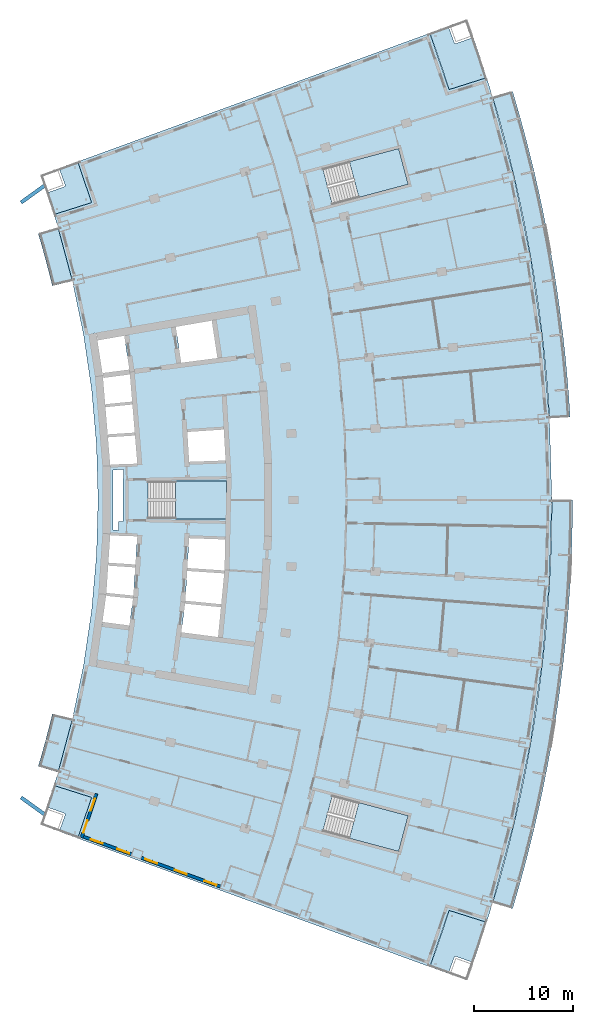
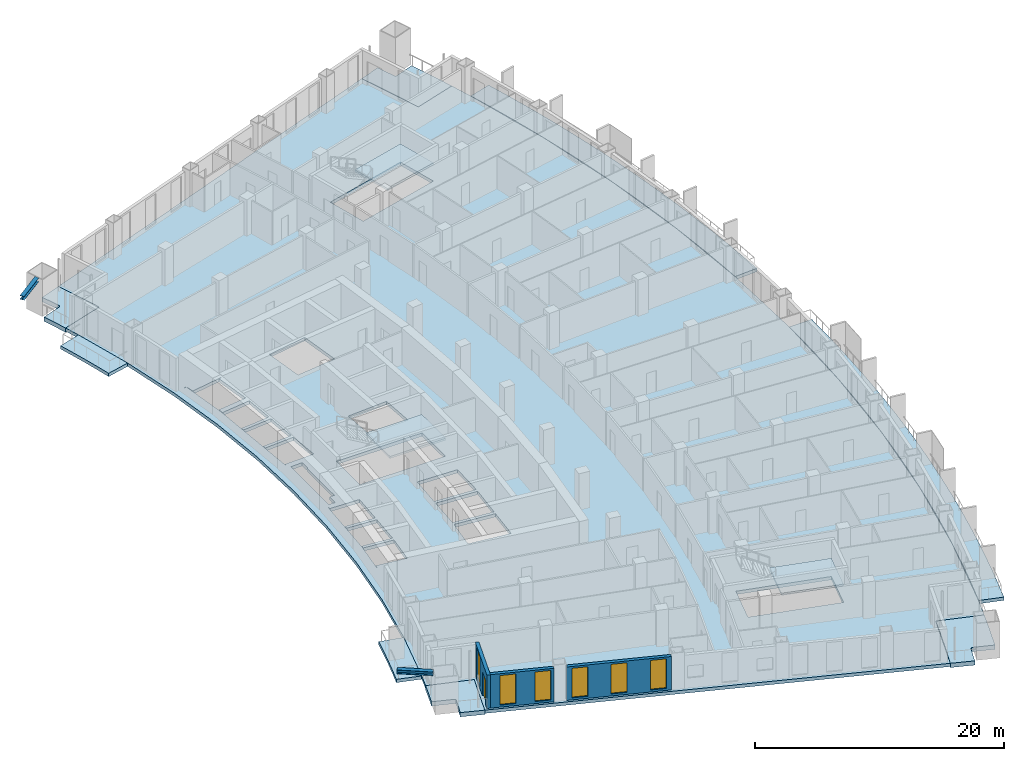
# One storey, part 12 of 24: 12 slabs, 6 windows, 3 walls, 2 members, 1 door, 7 openings, 3 elements without a shape of their own.
"""IFC4 building model written with IfcOpenShell, lengths in metres."""

import ifcopenshell
import ifcopenshell.guid

model = None  # the IFC model being written
_history = None  # IfcOwnerHistory: only IFC2X3 demands one
_inside = {}  # id of a spatial element -> (the spatial element, [elements in it])
_under = {}  # id of a project, library or spatial element -> (it, [spatial elements below it])
_declared = {}  # id of a project -> (the project, [libraries it declares])
_typed = {}  # id of a type object -> (the type object, [elements of that type])
_made_of = {}  # id of a material, layer set ... -> (it, [elements and type objects made of it])


def new_model(schema):
    """Start an empty IFC model of exactly this schema.

    Asked for "IFC4X3", IfcOpenShell would pick the latest addendum, in which some entities
    have other attributes; the version numbers below select the first issue.
    IFC2X3 requires an IfcOwnerHistory on every rooted entity: one is made here for all.
    """
    global model, _history
    if schema == "IFC4X3":
        model = ifcopenshell.file(schema_version=(4, 3, 0, 0))
    else:
        model = ifcopenshell.file(schema=schema)
    _inside.clear()
    _under.clear()
    _declared.clear()
    _typed.clear()
    _made_of.clear()
    _history = None
    if model.schema == "IFC2X3":
        org = make("IfcOrganization", Name="unknown")
        user = make(
            "IfcPersonAndOrganization",
            ThePerson=make("IfcPerson", FamilyName="unknown"),
            TheOrganization=org,
        )
        app = make(
            "IfcApplication",
            ApplicationDeveloper=org,
            Version="unknown",
            ApplicationFullName="unknown",
            ApplicationIdentifier="unknown",
        )
        _history = make(
            "IfcOwnerHistory",
            OwningUser=user,
            OwningApplication=app,
            ChangeAction="ADDED",
            CreationDate=0,
        )
    return model


def make(cls, **values):
    """One entity of the class cls with the attributes given. An attribute that is None is left unset."""
    return model.create_entity(
        cls, **{name: value for name, value in values.items() if value is not None}
    )


def rooted(cls, **values):
    """An entity with a GlobalId (a new one), such as an element, a storey or a relation."""
    return make(cls, GlobalId=ifcopenshell.guid.new(), OwnerHistory=_history, **values)


def si_unit(unit_type, name, prefix=None):
    """IfcSIUnit, for example si_unit("LENGTHUNIT", "METRE", prefix="MILLI")."""
    return make("IfcSIUnit", UnitType=unit_type, Prefix=prefix, Name=name)


def assignment(units):
    """IfcUnitAssignment: the units of a project."""
    return None if units is None else make("IfcUnitAssignment", Units=units)


def point(xyz):
    """IfcCartesianPoint."""
    return None if xyz is None else make("IfcCartesianPoint", Coordinates=xyz)


def direction(xyz):
    """IfcDirection."""
    return None if xyz is None else make("IfcDirection", DirectionRatios=xyz)


def frame(location, z_axis=None, x_axis=None):
    """IfcAxis2Placement3D, a coordinate frame: its origin and axes. An axis left out is left unset."""
    return make(
        "IfcAxis2Placement3D",
        Location=point(location),
        Axis=direction(z_axis),
        RefDirection=direction(x_axis),
    )


def frame_2d(location, x_axis=None):
    """IfcAxis2Placement2D, a coordinate frame in the plane: its origin and x axis."""
    return make(
        "IfcAxis2Placement2D", Location=point(location), RefDirection=direction(x_axis)
    )


def origin():
    """The frame at (0, 0, 0) with its axes left unset."""
    return frame((0.0, 0.0, 0.0))


def origin_2d():
    """The frame at (0, 0) in the plane with its x axis left unset."""
    return frame_2d((0.0, 0.0))


def place(relative_to, where):
    """IfcLocalPlacement: puts the frame where relative to a parent placement (None: the world)."""
    return make(
        "IfcLocalPlacement", PlacementRelTo=relative_to, RelativePlacement=where
    )


def context(
    kind, dimensions, precision=None, world=None, true_north=None, identifier=None
):
    """IfcGeometricRepresentationContext, for example the 3D "Model" context."""
    return make(
        "IfcGeometricRepresentationContext",
        ContextIdentifier=identifier,
        ContextType=kind,
        CoordinateSpaceDimension=dimensions,
        Precision=precision,
        WorldCoordinateSystem=world,
        TrueNorth=true_north,
    )


def subcontext(parent, identifier, kind, view, scale=None):
    """IfcGeometricRepresentationSubContext, for example "Body" below "Model"."""
    return make(
        "IfcGeometricRepresentationSubContext",
        ContextIdentifier=identifier,
        ContextType=kind,
        ParentContext=parent,
        TargetScale=scale,
        TargetView=view,
    )


def project(units=None, contexts=None):
    """IfcProject with its units and contexts."""
    return rooted(
        "IfcProject",
        Name="project",
        RepresentationContexts=contexts,
        UnitsInContext=assignment(units),
    )


def spatial(cls, under=None, at=None, **own):
    """A site, building, storey or space (cls), placed at a placement, below another one or the project."""
    s = rooted(cls, ObjectPlacement=at, **own)
    if under is not None:
        _under.setdefault(under.id(), (under, []))[1].append(s)
    return s


def polyline(points):
    """IfcPolyline through the points."""
    return make("IfcPolyline", Points=[point(p) for p in points])


def profile(cls, at=None, kind="AREA", **sizes):
    """A parametric profile (cls). Its sizes go by their IFC names, for example OverallWidth=200.0."""
    return make(cls, ProfileType=kind, Position=at, **sizes)


def rectangle(**sizes):
    """IfcRectangleProfileDef."""
    return profile("IfcRectangleProfileDef", **sizes)


def i_section(**sizes):
    """IfcIShapeProfileDef."""
    return profile("IfcIShapeProfileDef", **sizes)


def outline(outer, holes=None, kind="AREA"):
    """IfcArbitraryClosedProfileDef: a profile drawn as a closed curve; with holes, ...WithVoids."""
    if holes is None:
        return make("IfcArbitraryClosedProfileDef", ProfileType=kind, OuterCurve=outer)
    return make(
        "IfcArbitraryProfileDefWithVoids",
        ProfileType=kind,
        OuterCurve=outer,
        InnerCurves=holes,
    )


def extrude(swept, where, along, depth):
    """IfcExtrudedAreaSolid: the profile swept, set in the frame where, extruded along a direction by depth."""
    return make(
        "IfcExtrudedAreaSolid",
        SweptArea=swept,
        Position=where,
        ExtrudedDirection=direction(along),
        Depth=depth,
    )


def shape(context_of_items, identifier, shape_type, items):
    """IfcShapeRepresentation: the items that make up one representation, for example the "Body"."""
    return make(
        "IfcShapeRepresentation",
        ContextOfItems=context_of_items,
        RepresentationIdentifier=identifier,
        RepresentationType=shape_type,
        Items=items,
    )


def material(Name=None, Category=None):
    """IfcMaterial."""
    return make("IfcMaterial", Name=Name, Category=Category)


def layer(
    of_material, thickness, ventilated=None, Name=None, Category=None, Priority=None
):
    """IfcMaterialLayer: one layer of a wall or slab, of a material (None: an air gap)."""
    return make(
        "IfcMaterialLayer",
        Material=of_material,
        LayerThickness=thickness,
        IsVentilated=ventilated,
        Name=Name,
        Category=Category,
        Priority=Priority,
    )


def layer_set(layers, Name=None):
    """IfcMaterialLayerSet."""
    return make("IfcMaterialLayerSet", MaterialLayers=layers, LayerSetName=Name)


def material_profile(
    of_material, cross_section, Name=None, Category=None, Priority=None
):
    """IfcMaterialProfile: a cross section and its material."""
    return make(
        "IfcMaterialProfile",
        Name=Name,
        Material=of_material,
        Profile=cross_section,
        Priority=Priority,
        Category=Category,
    )


def profile_set(profiles, Name=None, composite=None):
    """IfcMaterialProfileSet."""
    return make(
        "IfcMaterialProfileSet",
        Name=Name,
        MaterialProfiles=profiles,
        CompositeProfile=composite,
    )


def made_of(thing, what):
    """Note that an element or type object is made of a material, layer set ...; save() writes the relation."""
    if what is not None:
        _made_of.setdefault(what.id(), (what, []))[1].append(thing)
    return thing


def type_object(cls, material=None, **own):
    """A type object (cls), such as IfcWallType, which elements share."""
    return made_of(rooted(cls, **own), material)


def element(
    cls,
    number,
    at=None,
    inside=None,
    cuts=None,
    type_object=None,
    material=None,
    context=None,
    identifier="Body",
    shape_type=None,
    held_by="IfcProductDefinitionShape",
    body=None,
    shapes=None,
    **own,
):
    """One element of the class cls, such as IfcWall. Its Tag is "e" and its number.

    at: its placement. inside: the storey or other place that contains it. cuts: it is an
    opening in that element (IfcRelVoidsElement). A single representation is given by context,
    identifier, shape_type and body (its items); several are given by shapes. held_by: the class
    of the entity that holds the representations. save() writes the other relations.
    """
    e = rooted(cls, Tag="e%d" % number, ObjectPlacement=at, **own)
    if body is not None:
        shapes = [shape(context, identifier, shape_type, body)]
    if shapes is not None:
        e.Representation = make(held_by, Representations=shapes)
    if inside is not None:
        _inside.setdefault(inside.id(), (inside, []))[1].append(e)
    if cuts is not None:
        rooted(
            "IfcRelVoidsElement", RelatingBuildingElement=cuts, RelatedOpeningElement=e
        )
    if type_object is not None:
        _typed.setdefault(type_object.id(), (type_object, []))[1].append(e)
    return made_of(e, material)


def fill(opening, filler):
    """IfcRelFillsElement: the door or window that sits in an opening."""
    return rooted(
        "IfcRelFillsElement",
        RelatingOpeningElement=opening,
        RelatedBuildingElement=filler,
    )


def aggregate(whole, parts):
    """IfcRelAggregates: a whole, such as a stair, and the parts it consists of."""
    return rooted("IfcRelAggregates", RelatingObject=whole, RelatedObjects=parts)


def save(model, path):
    """Write the relations noted so far, then the file.

    IfcRelAggregates (storeys below a building ...), IfcRelContainedInSpatialStructure (elements
    in a storey), IfcRelDefinesByType, IfcRelAssociatesMaterial and IfcRelDeclares: one each for
    every whole, place, type object, material and project.
    """
    for whole, parts in _under.values():
        aggregate(whole, parts)
    for where, things in _inside.values():
        rooted(
            "IfcRelContainedInSpatialStructure",
            RelatedElements=things,
            RelatingStructure=where,
        )
    for kind, things in _typed.values():
        rooted("IfcRelDefinesByType", RelatedObjects=things, RelatingType=kind)
    for what, things in _made_of.values():
        rooted("IfcRelAssociatesMaterial", RelatedObjects=things, RelatingMaterial=what)
    for by, libraries in _declared.values():
        rooted("IfcRelDeclares", RelatingContext=by, RelatedDefinitions=libraries)
    model.write(path)


model = new_model("IFC4")

# Units and contexts
model_context = context("Model", 3, precision=1e-05, world=origin(), true_north=direction((0.0, 1.0)))
body_context = subcontext(model_context, "Body", "Model", "MODEL_VIEW")
ifc_project = project(units=[si_unit("LENGTHUNIT", "METRE"), si_unit("AREAUNIT", "SQUARE_METRE"), si_unit("VOLUMEUNIT", "CUBIC_METRE"), si_unit("PLANEANGLEUNIT", "RADIAN"), si_unit("MASSUNIT", "GRAM", prefix="KILO")], contexts=[model_context])

# Site, building, storey
site_placement = place(None, origin())
site = spatial("IfcSite", under=ifc_project, at=site_placement, CompositionType="ELEMENT")
building_placement = place(site_placement, origin())
building = spatial("IfcBuilding", under=site, at=building_placement, Name="Alderwake Tower", CompositionType="ELEMENT")
storey_placement = place(building_placement, frame((0.0, 0.0, 96.800048828125)))
storey = spatial("IfcBuildingStorey", under=building, at=storey_placement, Name="L23", CompositionType="ELEMENT", Elevation=96.800048828125)

# Members
ifc_material_1 = material(Name="Steel ASTM A992 Grade 50", Category="steel")
ifc_material_profile = material_profile(ifc_material_1, i_section(OverallWidth=0.3740234375, OverallDepth=0.372314453125, WebThickness=0.016357421875, FlangeThickness=0.026123046875, at=origin_2d()), Name="W14X132")
ifc_profile_set = profile_set([ifc_material_profile], Name="Steel ASTM A992 Grade 50")
member_type = type_object("IfcMemberType", Name="Brace node stub W14X132", PredefinedType="MEMBER", material=ifc_profile_set)
for number, where, z_axis, x_axis, name in (
    (1, (10.557861328125, 29.140625, 3.393798828125), (-0.811319673372, 0.584602760513, 0.0), (-0.584602760513, -0.811319673372, 0.0), "Brace node stub BS.RR01-C0.1004"),
    (2, (10.557861328125, 92.859375, 3.393798828125), (-0.811319673372, -0.584602760513, 0.0), (0.584602760513, -0.811319673372, 0.0), "Brace node stub BS.RR13-C0.1004"),
):
    element("IfcMember", number, at=place(storey_placement, frame(where, z_axis=z_axis, x_axis=x_axis)), inside=storey, type_object=member_type, Name=name, PredefinedType="MEMBER", context=body_context, shape_type="SweptSolid", body=[
        extrude(i_section(OverallWidth=0.3740234375, OverallDepth=0.372314453125, WebThickness=0.016357421875, FlangeThickness=0.026123046875, at=origin_2d()), origin(), (0.0, 0.0, 1.0), 2.912841796875),
    ])

# Slabs
ifc_material_2 = material(Name="Concrete C50/60", Category="concrete")
ifc_layer_1 = layer(ifc_material_2, 0.320068359375)
ifc_layer_set_1 = layer_set([ifc_layer_1], Name="Balcony slab 320")
slab_type_1 = type_object("IfcSlabType", Name="Balcony slab 320", PredefinedType="FLOOR", material=ifc_layer_set_1)
slab_1_placement = place(storey_placement, frame((0.0, 0.0, -0.320068359375)))
element("IfcSlab", 3, at=slab_1_placement, inside=storey, type_object=slab_type_1, Name="Balcony BF02", PredefinedType="FLOOR", context=body_context, shape_type="SweptSolid", body=[
    extrude(outline(polyline([(58.603515625, 21.581298828125), (59.163818359375, 23.606689453125), (59.694091796875, 25.639892578125), (60.195068359375, 27.680908203125), (60.666015625, 29.72900390625), (61.107177734375, 31.78369140625), (61.51806640625, 33.844482421875), (61.899169921875, 35.910888671875), (62.25, 37.98291015625), (62.5703125, 40.059814453125), (62.860595703125, 42.14111328125), (63.120361328125, 44.226318359375), (63.349853515625, 46.315185546875), (63.548583984375, 48.4072265625), (63.717041015625, 50.501953125), (63.85498046875, 52.598876953125), (63.962158203125, 54.697509765625), (64.038818359375, 56.797607421875), (64.084716796875, 58.898681640625), (64.10009765625, 61.0), (62.0, 61.0), (61.98486328125, 58.92919921875), (61.939697265625, 56.85888671875), (61.864013671875, 54.78955078125), (61.758544921875, 52.721435546875), (61.622802734375, 50.655029296875), (61.456787109375, 48.5908203125), (61.2607421875, 46.529296875), (61.03466796875, 44.470947265625), (60.77880859375, 42.416015625), (60.49267578125, 40.364990234375), (60.1767578125, 38.318359375), (59.831298828125, 36.276611328125), (59.455810546875, 34.239990234375), (59.05078125, 32.209228515625), (58.6162109375, 30.1845703125), (58.152099609375, 28.16650390625), (57.658447265625, 26.155517578125), (57.1357421875, 24.151611328125), (56.583740234375, 22.15576171875), (56.002685546875, 20.168212890625), (58.01416015625, 19.564208984375), (58.603515625, 21.581298828125)])), origin(), (0.0, 0.0, 1.0), 0.320068359375),
])
slab_2_placement = place(storey_placement, frame((0.0, 0.0, -0.320068359375)))
element("IfcSlab", 4, at=slab_2_placement, inside=storey, type_object=slab_type_1, Name="Balcony BF08", PredefinedType="FLOOR", context=body_context, shape_type="SweptSolid", body=[
    extrude(outline(polyline([(63.717041015625, 71.498046875), (63.548583984375, 73.5927734375), (63.349853515625, 75.684814453125), (63.120361328125, 77.773681640625), (62.860595703125, 79.85888671875), (62.5703125, 81.940185546875), (62.25, 84.01708984375), (61.899169921875, 86.089111328125), (61.51806640625, 88.155517578125), (61.107177734375, 90.21630859375), (60.666015625, 92.27099609375), (60.195068359375, 94.319091796875), (59.694091796875, 96.360107421875), (59.163818359375, 98.393310546875), (58.603515625, 100.418701171875), (58.01416015625, 102.435791015625), (56.002685546875, 101.831787109375), (56.583740234375, 99.84423828125), (57.1357421875, 97.848388671875), (57.658447265625, 95.844482421875), (58.152099609375, 93.83349609375), (58.6162109375, 91.8154296875), (59.05078125, 89.790771484375), (59.455810546875, 87.760009765625), (59.831298828125, 85.723388671875), (60.1767578125, 83.681640625), (60.49267578125, 81.635009765625), (60.77880859375, 79.583984375), (61.03466796875, 77.529052734375), (61.2607421875, 75.470703125), (61.456787109375, 73.4091796875), (61.622802734375, 71.344970703125), (61.758544921875, 69.278564453125), (63.85498046875, 69.401123046875), (63.717041015625, 71.498046875)])), origin(), (0.0, 0.0, 1.0), 0.320068359375),
])
slab_3_placement = place(storey_placement, frame((0.0, 0.0, -0.320068359375)))
element("IfcSlab", 5, at=slab_3_placement, inside=storey, type_object=slab_type_1, Name="Balcony BR02", PredefinedType="FLOOR", context=body_context, shape_type="SweptSolid", body=[
    extrude(outline(polyline([(9.93408203125, 33.999267578125), (11.945556640625, 33.395263671875), (13.3984375, 38.802734375), (11.35546875, 39.288330078125), (11.029052734375, 37.95849609375), (10.683349609375, 36.63330078125), (10.318359375, 35.3134765625), (9.93408203125, 33.999267578125)])), origin(), (0.0, 0.0, 1.0), 0.320068359375),
])
slab_4_placement = place(storey_placement, frame((0.0, 0.0, -0.320068359375)))
element("IfcSlab", 6, at=slab_4_placement, inside=storey, type_object=slab_type_1, Name="Balcony BR11", PredefinedType="FLOOR", context=body_context, shape_type="SweptSolid", body=[
    extrude(outline(polyline([(11.35546875, 82.711669921875), (13.3984375, 83.197265625), (11.945556640625, 88.604736328125), (9.93408203125, 88.000732421875), (10.318359375, 86.6865234375), (10.683349609375, 85.36669921875), (11.029052734375, 84.04150390625), (11.35546875, 82.711669921875)])), origin(), (0.0, 0.0, 1.0), 0.320068359375),
])
ifc_material_3 = material(Name="Concrete C50/60", Category="concrete")
ifc_layer_2 = layer(ifc_material_3, 0.320068359375)
ifc_layer_set_2 = layer_set([ifc_layer_2], Name="Concrete C50/60 post-tensioned flat plate 320")
slab_type_2 = type_object("IfcSlabType", Name="Concrete C50/60 post-tensioned flat plate 320", PredefinedType="FLOOR", material=ifc_layer_set_2)
slab_5_placement = place(storey_placement, frame((0.0, 0.0, -0.320068359375)))
element("IfcSlab", 7, at=slab_5_placement, inside=storey, type_object=slab_type_2, Name="Floor slab L23", PredefinedType="FLOOR", context=body_context, shape_type="SweptSolid", body=[
    extrude(outline(polyline([(11.533203125, 32.057373046875), (11.945556640625, 33.395263671875), (13.3984375, 38.802734375), (14.53369140625, 44.28564453125), (15.347412109375, 49.825439453125), (15.836669921875, 55.4033203125), (16.0, 61.0), (15.836669921875, 66.5966796875), (15.347412109375, 72.174560546875), (14.53369140625, 77.71435546875), (13.3984375, 83.197265625), (11.945556640625, 88.604736328125), (11.533203125, 89.942626953125), (15.34716796875, 91.1484375), (13.937255859375, 95.289794921875), (49.63330078125, 108.31982421875), (51.5791015625, 102.60498046875), (55.392822265625, 103.810791015625), (56.002685546875, 101.831787109375), (58.152099609375, 93.83349609375), (59.831298828125, 85.723388671875), (61.03466796875, 77.529052734375), (61.758544921875, 69.278564453125), (62.0, 61.0), (61.758544921875, 52.721435546875), (61.03466796875, 44.470947265625), (59.831298828125, 36.276611328125), (58.152099609375, 28.16650390625), (56.002685546875, 20.168212890625), (55.392822265625, 18.189208984375), (51.5791015625, 19.39501953125), (49.63330078125, 13.68017578125), (13.937255859375, 26.710205078125), (15.34716796875, 30.8515625), (11.533203125, 32.057373046875)]), holes=[polyline([(16.84375, 51.279541015625), (16.8583984375, 51.4287109375), (16.873291015625, 51.577880859375), (19.574951171875, 51.31103515625), (19.76611328125, 54.161376953125), (17.0537109375, 54.34326171875), (17.06396484375, 54.492919921875), (17.073974609375, 54.642578125), (19.7861328125, 54.460693359375), (19.977294921875, 57.31103515625), (17.263916015625, 57.406982421875), (17.269287109375, 57.556884765625), (17.2392578125, 57.55810546875), (17.033935546875, 54.494873046875), (16.82861328125, 51.431640625), (16.82861328125, 51.431640625), (16.41015625, 48.39013671875), (16.43994140625, 48.38623046875), (16.472412109375, 48.63427734375), (19.18017578125, 48.280029296875), (19.545166015625, 51.012451171875), (16.84375, 51.279541015625)]), polyline([(29.0, 62.875), (21.050048828125, 62.875), (21.050048828125, 59.125), (29.0, 59.125), (29.0, 62.875)]), polyline([(19.738525390625, 67.5361328125), (17.02587890625, 67.354248046875), (17.015869140625, 67.50390625), (17.005859375, 67.653564453125), (19.7138671875, 67.835205078125), (19.47802734375, 70.679443359375), (16.777099609375, 70.41259765625), (16.76220703125, 70.561767578125), (16.74755859375, 70.7109375), (19.453125, 70.978515625), (19.2255859375, 73.725830078125), (16.541015625, 73.374755859375), (16.508544921875, 73.62255859375), (16.47607421875, 73.87060546875), (19.16796875, 74.22265625), (18.656982421875, 77.6376953125), (18.90283203125, 77.674560546875), (18.900146484375, 77.690673828125), (15.96826171875, 77.183837890625), (15.836669921875, 77.94482421875), (15.58544921875, 77.900390625), (15.586181640625, 77.896484375), (15.8154296875, 77.931884765625), (16.478515625, 73.61865234375), (16.47900390625, 73.61376953125), (16.732421875, 70.558837890625), (16.98583984375, 67.501953125), (17.239501953125, 64.4443359375), (17.239501953125, 64.44189453125), (17.269287109375, 64.443115234375), (17.263916015625, 64.593017578125), (19.974609375, 64.68896484375), (19.738525390625, 67.5361328125)]), polyline([(47.436279296875, 28.996826171875), (39.754150390625, 31.043212890625), (38.7890625, 27.41943359375), (46.47119140625, 25.373291015625), (47.436279296875, 28.996826171875)]), polyline([(24.82470703125, 50.49072265625), (24.8291015625, 50.534423828125), (24.825439453125, 50.534912109375), (24.43212890625, 47.59326171875), (28.160888671875, 47.10546875), (28.45361328125, 50.132080078125), (24.82470703125, 50.49072265625)]), polyline([(25.031005859375, 53.808349609375), (24.84521484375, 50.735595703125), (24.848876953125, 50.7353515625), (24.854248046875, 50.789306640625), (28.482666015625, 50.430908203125), (28.784912109375, 53.556640625), (25.031005859375, 53.808349609375)]), polyline([(28.887451171875, 56.99560546875), (25.2314453125, 57.125), (25.049072265625, 54.10791015625), (28.809326171875, 53.855712890625), (28.8076171875, 53.83154296875), (28.811279296875, 53.831298828125), (28.8193359375, 53.912353515625), (28.887451171875, 56.99560546875)]), polyline([(28.923828125, 65.005615234375), (28.7392578125, 68.1396484375), (25.05126953125, 67.892333984375), (25.232177734375, 64.875), (28.923828125, 65.005615234375)]), polyline([(28.09619140625, 75.390380859375), (27.523193359375, 79.181396484375), (23.877685546875, 78.551025390625), (24.427001953125, 74.915283203125), (24.368896484375, 74.90673828125), (24.36962890625, 74.90283203125), (28.09619140625, 75.390380859375)]), polyline([(46.47119140625, 96.626708984375), (38.7890625, 94.58056640625), (39.754150390625, 90.956787109375), (47.436279296875, 93.003173828125), (46.47119140625, 96.626708984375)]), polyline([(17.489501953125, 64.050537109375), (17.4892578125, 57.949462890625), (18.065673828125, 57.928955078125), (18.090576171875, 58.84326171875), (18.544189453125, 58.8310546875), (18.529296875, 58.8681640625), (18.5234375, 58.89208984375), (18.5185546875, 58.94091796875), (18.5185546875, 63.060302734375), (18.5234375, 63.109130859375), (18.53759765625, 63.156005859375), (18.560791015625, 63.19921875), (18.588623046875, 63.233642578125), (18.565185546875, 64.088623046875), (17.489501953125, 64.050537109375)])]), origin(), (0.0, 0.0, 1.0), 0.320068359375),
])

# Stair, slab
ifc_material_4 = material(Name="Concrete C40/50", Category="concrete")
stair_type = type_object("IfcStairType", Name="Core exit stair", PredefinedType="HALF_TURN_STAIR", material=ifc_material_4)
stair_1_placement = place(storey_placement, origin())
stair_1 = element("IfcStair", 8, at=stair_1_placement, inside=storey, type_object=stair_type, Name="L23 Exit Stair B", PredefinedType="HALF_TURN_STAIR")
ifc_material_5 = material(Name="Concrete C40/50", Category="concrete")
ifc_layer_3 = layer(ifc_material_5, 0.199951171875)
ifc_layer_set_3 = layer_set([ifc_layer_3], Name="Core stair landing 200")
slab_type_3 = type_object("IfcSlabType", Name="Core stair landing 200", PredefinedType="LANDING", material=ifc_layer_set_3)
slab_6_placement = place(storey_placement, frame((0.0, 0.0, 1.599853515625)))
slab_6 = element("IfcSlab", 9, at=slab_6_placement, type_object=slab_type_3, Name="ST-B landing 1", PredefinedType="LANDING", context=body_context, shape_type="SweptSolid", body=[
    extrude(outline(polyline([(23.830078125, 59.074951171875), (29.0, 59.074951171875), (29.0, 62.925048828125), (23.830078125, 62.925048828125), (23.830078125, 59.074951171875)])), origin(), (0.0, 0.0, 1.0), 0.2001953125),
])
aggregate(stair_1, [slab_6])

stair_2_placement = place(storey_placement, origin())
stair_2 = element("IfcStair", 10, at=stair_2_placement, inside=storey, type_object=stair_type, Name="L23 Exit Stair A", PredefinedType="HALF_TURN_STAIR")
slab_7_placement = place(storey_placement, frame((0.0, 0.0, 1.599853515625)))
slab_7 = element("IfcSlab", 11, at=slab_7_placement, type_object=slab_type_3, Name="ST-A landing 1", PredefinedType="LANDING", context=body_context, shape_type="SweptSolid", body=[
    extrude(outline(polyline([(42.440673828125, 91.67236328125), (47.436279296875, 93.003173828125), (46.47119140625, 96.626708984375), (41.475341796875, 95.296142578125), (42.440673828125, 91.67236328125)])), origin(), (0.0, 0.0, 1.0), 0.2001953125),
])
aggregate(stair_2, [slab_7])

stair_3_placement = place(storey_placement, origin())
stair_3 = element("IfcStair", 12, at=stair_3_placement, inside=storey, type_object=stair_type, Name="L23 Exit Stair C", PredefinedType="HALF_TURN_STAIR")
slab_8_placement = place(storey_placement, frame((0.0, 0.0, 1.599853515625)))
slab_8 = element("IfcSlab", 13, at=slab_8_placement, type_object=slab_type_3, Name="ST-C landing 1", PredefinedType="LANDING", context=body_context, shape_type="SweptSolid", body=[
    extrude(outline(polyline([(41.475341796875, 26.703857421875), (46.47119140625, 25.373291015625), (47.436279296875, 28.996826171875), (42.4404296875, 30.32763671875), (41.475341796875, 26.703857421875)])), origin(), (0.0, 0.0, 1.0), 0.2001953125),
])
aggregate(stair_3, [slab_8])

# Slabs
ifc_material_6 = material(Name="Concrete C50/60", Category="concrete")
ifc_layer_4 = layer(ifc_material_6, 0.419921875)
ifc_layer_set_4 = layer_set([ifc_layer_4], Name="Terrace slab 420")
slab_type_4 = type_object("IfcSlabType", Name="Terrace slab 420", PredefinedType="FLOOR", material=ifc_layer_set_4)
slab_9_placement = place(storey_placement, frame((0.0, 0.0, -0.420166015625)))
element("IfcSlab", 14, at=slab_9_placement, inside=storey, type_object=slab_type_4, Name="Corner terrace FS", PredefinedType="FLOOR", context=body_context, shape_type="SweptSolid", body=[
    extrude(outline(polyline([(54.0869140625, 14.2587890625), (54.03076171875, 14.1015625), (52.293212890625, 14.723388671875), (52.279296875, 14.7275390625), (52.2646484375, 14.73046875), (52.25, 14.73193359375), (52.2353515625, 14.73193359375), (52.220703125, 14.73046875), (52.206298828125, 14.7275390625), (52.192138671875, 14.723388671875), (52.1787109375, 14.7177734375), (52.16552734375, 14.710693359375), (52.1533203125, 14.70263671875), (52.14208984375, 14.693115234375), (52.131591796875, 14.682861328125), (52.122314453125, 14.67138671875), (52.114013671875, 14.6591796875), (52.107177734375, 14.646240234375), (52.1015625, 14.632568359375), (51.52880859375, 13.031982421875), (51.5244140625, 13.017822265625), (51.521484375, 13.00341796875), (51.5205078125, 12.9912109375), (49.63330078125, 13.68017578125), (50.309814453125, 15.57568359375), (50.958251953125, 17.480712890625), (51.5791015625, 19.39501953125), (55.392822265625, 18.189208984375), (54.754150390625, 16.21923828125), (54.0869140625, 14.2587890625)])), origin(), (0.0, 0.0, 1.0), 0.420166015625),
])
slab_10_placement = place(storey_placement, frame((0.0, 0.0, -0.420166015625)))
element("IfcSlab", 15, at=slab_10_placement, inside=storey, type_object=slab_type_4, Name="Corner terrace RS", PredefinedType="FLOOR", context=body_context, shape_type="SweptSolid", body=[
    extrude(outline(polyline([(13.937255859375, 26.710205078125), (12.04931640625, 27.3994140625), (12.0537109375, 27.40380859375), (12.06298828125, 27.4150390625), (12.071044921875, 27.427490234375), (12.077880859375, 27.4404296875), (12.08349609375, 27.4541015625), (12.651611328125, 29.056396484375), (12.65576171875, 29.0703125), (12.65869140625, 29.084716796875), (12.66015625, 29.099609375), (12.659912109375, 29.1142578125), (12.658447265625, 29.12890625), (12.655517578125, 29.143310546875), (12.6513671875, 29.157470703125), (12.6455078125, 29.1708984375), (12.638671875, 29.183837890625), (12.63037109375, 29.196044921875), (12.62109375, 29.20751953125), (12.610595703125, 29.218017578125), (12.59912109375, 29.227294921875), (12.5869140625, 29.2353515625), (12.573974609375, 29.2421875), (12.560302734375, 29.247802734375), (10.8095703125, 29.868408203125), (11.101318359375, 30.7255859375), (11.533203125, 32.057373046875), (15.34716796875, 30.8515625), (13.937255859375, 26.710205078125)])), origin(), (0.0, 0.0, 1.0), 0.420166015625),
])
slab_11_placement = place(storey_placement, frame((0.0, 0.0, -0.420166015625)))
element("IfcSlab", 16, at=slab_11_placement, inside=storey, type_object=slab_type_4, Name="Corner terrace FN", PredefinedType="FLOOR", context=body_context, shape_type="SweptSolid", body=[
    extrude(outline(polyline([(54.0869140625, 107.7412109375), (54.754150390625, 105.78076171875), (55.392822265625, 103.810791015625), (51.5791015625, 102.60498046875), (50.958251953125, 104.519287109375), (50.309814453125, 106.42431640625), (49.63330078125, 108.31982421875), (51.5205078125, 109.0087890625), (51.521484375, 108.99658203125), (51.5244140625, 108.982177734375), (51.52880859375, 108.968017578125), (52.1015625, 107.367431640625), (52.107177734375, 107.353759765625), (52.114013671875, 107.3408203125), (52.122314453125, 107.32861328125), (52.131591796875, 107.317138671875), (52.14208984375, 107.306884765625), (52.1533203125, 107.29736328125), (52.16552734375, 107.289306640625), (52.1787109375, 107.2822265625), (52.192138671875, 107.276611328125), (52.206298828125, 107.2724609375), (52.220703125, 107.26953125), (52.2353515625, 107.26806640625), (52.25, 107.26806640625), (52.2646484375, 107.26953125), (52.279296875, 107.2724609375), (52.293212890625, 107.276611328125), (54.03076171875, 107.8984375), (54.0869140625, 107.7412109375)])), origin(), (0.0, 0.0, 1.0), 0.420166015625),
])
slab_12_placement = place(storey_placement, frame((0.0, 0.0, -0.420166015625)))
element("IfcSlab", 17, at=slab_12_placement, inside=storey, type_object=slab_type_4, Name="Corner terrace RN", PredefinedType="FLOOR", context=body_context, shape_type="SweptSolid", body=[
    extrude(outline(polyline([(10.8095703125, 92.131591796875), (12.560302734375, 92.752197265625), (12.573974609375, 92.7578125), (12.5869140625, 92.7646484375), (12.59912109375, 92.772705078125), (12.610595703125, 92.781982421875), (12.62109375, 92.79248046875), (12.63037109375, 92.803955078125), (12.638671875, 92.816162109375), (12.6455078125, 92.8291015625), (12.6513671875, 92.842529296875), (12.655517578125, 92.856689453125), (12.658447265625, 92.87109375), (12.659912109375, 92.8857421875), (12.66015625, 92.900390625), (12.65869140625, 92.915283203125), (12.65576171875, 92.9296875), (12.651611328125, 92.943603515625), (12.08349609375, 94.5458984375), (12.077880859375, 94.5595703125), (12.071044921875, 94.572509765625), (12.06298828125, 94.5849609375), (12.0537109375, 94.59619140625), (12.04931640625, 94.6005859375), (13.937255859375, 95.289794921875), (15.34716796875, 91.1484375), (11.533203125, 89.942626953125), (11.101318359375, 91.2744140625), (10.8095703125, 92.131591796875)])), origin(), (0.0, 0.0, 1.0), 0.420166015625),
])

# Wall, openings, door, window
ifc_material_7 = material(Name="Bronze metal cladding on lightweight framing")
ifc_layer_5 = layer(ifc_material_7, 0.300048828125)
ifc_layer_set_5 = layer_set([ifc_layer_5], Name="External wall EW2 bronze metal cladding")
wall_type = type_object("IfcWallType", Name="External wall EW2 bronze metal cladding", PredefinedType="SOLIDWALL", material=ifc_layer_set_5)
wall_1_placement = place(storey_placement, frame((15.83740234375, 31.220703125, 0.0), z_axis=(0.0, 0.0, 1.0), x_axis=(-0.32041006121, -0.947278941324, 0.0)))
wall_1 = element("IfcWall", 18, at=wall_1_placement, inside=storey, type_object=wall_type, Name="External wall 3", PredefinedType="SOLIDWALL", context=body_context, shape_type="SweptSolid", body=[
    extrude(rectangle(XDim=4.68994140625, YDim=0.300048828125, at=frame_2d((2.344970703125, 0.0))), origin(), (0.0, 0.0, 1.0), 3.280029296875),
])
opening_1_placement = place(wall_1_placement, frame((0.5224609375, 0.0, 0.199951171875)))
opening_1 = element("IfcOpeningElement", 19, at=opening_1_placement, cuts=wall_1, Name="Opening W1", PredefinedType="OPENING", context=body_context, shape_type="SweptSolid", body=[
    extrude(rectangle(XDim=1.300048828125, YDim=2.89990234375, at=frame_2d((0.64990234375, 1.449951171875))), frame((0.0, 0.159912109375, 0.0), z_axis=(0.0, -1.0, 0.0), x_axis=(1.0, 0.0, 0.0)), (0.0, 0.0, 1.0), 0.320068359375),
])
opening_2_placement = place(wall_1_placement, frame((2.867431640625, 0.0, 0.0)))
opening_2 = element("IfcOpeningElement", 20, at=opening_2_placement, cuts=wall_1, Name="Opening D01", PredefinedType="OPENING", context=body_context, shape_type="SweptSolid", body=[
    extrude(rectangle(XDim=1.300048828125, YDim=2.39990234375, at=frame_2d((0.64990234375, 1.199951171875))), frame((0.0, 0.159912109375, 0.0), z_axis=(0.0, -1.0, 0.0), x_axis=(1.0, 0.0, 0.0)), (0.0, 0.0, 1.0), 0.320068359375),
])
ifc_material_8 = material(Name="Bronze tinted glass in aluminium frame", Category="aluminium")
door_type = type_object("IfcDoorType", Name="Balcony door BD sliding", OperationType="SLIDING_TO_LEFT", PredefinedType="DOOR", material=ifc_material_8)
door_placement = place(opening_2_placement, origin())
door = element("IfcDoor", 21, at=door_placement, inside=storey, type_object=door_type, Name="Door D01", OperationType="SLIDING_TO_LEFT", OverallHeight=2.39990234375, OverallWidth=1.300048828125, PredefinedType="DOOR", context=body_context, shape_type="SweptSolid", body=[
    extrude(rectangle(XDim=1.300048828125, YDim=2.39990234375, at=frame_2d((0.64990234375, 1.199951171875))), frame((0.0, 0.02490234375, 0.0), z_axis=(0.0, -1.0, 0.0), x_axis=(1.0, 0.0, 0.0)), (0.0, 0.0, 1.0), 0.050048828125),
])
fill(opening_2, door)
ifc_material_9 = material(Name="Bronze tinted glass in aluminium frame", Category="aluminium")
window_type = type_object("IfcWindowType", Name="Window W1 tall fixed and vent", PartitioningType="DOUBLE_PANEL_VERTICAL", PredefinedType="WINDOW", material=ifc_material_9)
window_1_placement = place(opening_1_placement, origin())
window_1 = element("IfcWindow", 22, at=window_1_placement, inside=storey, type_object=window_type, Name="Window W1 tall fixed and vent", OverallHeight=2.89990234375, OverallWidth=1.300048828125, PartitioningType="DOUBLE_PANEL_VERTICAL", PredefinedType="WINDOW", context=body_context, shape_type="SweptSolid", body=[
    extrude(rectangle(XDim=1.300048828125, YDim=2.89990234375, at=frame_2d((0.64990234375, 1.449951171875))), frame((0.0, 0.030029296875, 0.0), z_axis=(0.0, -1.0, 0.0), x_axis=(1.0, 0.0, 0.0)), (0.0, 0.0, 1.0), 0.06005859375),
])
fill(opening_1, window_1)

# Wall, openings, windows
wall_2_placement = place(storey_placement, frame((14.523681640625, 26.86865234375, 0.0), z_axis=(0.0, 0.0, 1.0), x_axis=(0.939378067131, -0.342883138974, 0.0)))
wall_2 = element("IfcWall", 23, at=wall_2_placement, inside=storey, type_object=wall_type, Name="External wall 4", PredefinedType="SOLIDWALL", context=body_context, shape_type="SweptSolid", body=[
    extrude(rectangle(XDim=5.17431640625, YDim=0.300048828125, at=frame_2d((2.587158203125, 0.0))), origin(), (0.0, 0.0, 1.0), 3.280029296875),
])
opening_3_placement = place(wall_2_placement, frame((0.775390625, 0.0, 0.199951171875)))
opening_3 = element("IfcOpeningElement", 24, at=opening_3_placement, cuts=wall_2, Name="Opening W1", PredefinedType="OPENING", context=body_context, shape_type="SweptSolid", body=[
    extrude(rectangle(XDim=1.300048828125, YDim=2.89990234375, at=frame_2d((0.64990234375, 1.449951171875))), frame((0.0, 0.159912109375, 0.0), z_axis=(0.0, -1.0, 0.0), x_axis=(1.0, 0.0, 0.0)), (0.0, 0.0, 1.0), 0.320068359375),
])
opening_4_placement = place(wall_2_placement, frame((3.626220703125, 0.0, 0.199951171875)))
opening_4 = element("IfcOpeningElement", 25, at=opening_4_placement, cuts=wall_2, Name="Opening W1", PredefinedType="OPENING", context=body_context, shape_type="SweptSolid", body=[
    extrude(rectangle(XDim=1.300048828125, YDim=2.89990234375, at=frame_2d((0.64990234375, 1.449951171875))), frame((0.0, 0.159912109375, 0.0), z_axis=(0.0, -1.0, 0.0), x_axis=(1.0, 0.0, 0.0)), (0.0, 0.0, 1.0), 0.320068359375),
])
window_2_placement = place(opening_3_placement, origin())
window_2 = element("IfcWindow", 26, at=window_2_placement, inside=storey, type_object=window_type, Name="Window W1 tall fixed and vent", OverallHeight=2.89990234375, OverallWidth=1.300048828125, PartitioningType="DOUBLE_PANEL_VERTICAL", PredefinedType="WINDOW", context=body_context, shape_type="SweptSolid", body=[
    extrude(rectangle(XDim=1.300048828125, YDim=2.89990234375, at=frame_2d((0.64990234375, 1.449951171875))), frame((0.0, 0.030029296875, 0.0), z_axis=(0.0, -1.0, 0.0), x_axis=(1.0, 0.0, 0.0)), (0.0, 0.0, 1.0), 0.06005859375),
])
fill(opening_3, window_2)
window_3_placement = place(opening_4_placement, origin())
window_3 = element("IfcWindow", 27, at=window_3_placement, inside=storey, type_object=window_type, Name="Window W1 tall fixed and vent", OverallHeight=2.89990234375, OverallWidth=1.300048828125, PartitioningType="DOUBLE_PANEL_VERTICAL", PredefinedType="WINDOW", context=body_context, shape_type="SweptSolid", body=[
    extrude(rectangle(XDim=1.300048828125, YDim=2.89990234375, at=frame_2d((0.64990234375, 1.449951171875))), frame((0.0, 0.030029296875, 0.0), z_axis=(0.0, -1.0, 0.0), x_axis=(1.0, 0.0, 0.0)), (0.0, 0.0, 1.0), 0.06005859375),
])
fill(opening_4, window_3)

wall_3_placement = place(storey_placement, frame((20.375244140625, 24.73291015625, 0.0), z_axis=(0.0, 0.0, 1.0), x_axis=(0.939364770023, -0.342919566137, 0.0)))
wall_3 = element("IfcWall", 28, at=wall_3_placement, inside=storey, type_object=wall_type, Name="External wall 5", PredefinedType="SOLIDWALL", context=body_context, shape_type="SweptSolid", body=[
    extrude(rectangle(XDim=8.54541015625, YDim=0.300048828125, at=frame_2d((4.272705078125, 0.0))), origin(), (0.0, 0.0, 1.0), 3.280029296875),
])
opening_5_placement = place(wall_3_placement, frame((0.422607421875, 0.0, 0.199951171875)))
opening_5 = element("IfcOpeningElement", 29, at=opening_5_placement, cuts=wall_3, Name="Opening W1", PredefinedType="OPENING", context=body_context, shape_type="SweptSolid", body=[
    extrude(rectangle(XDim=1.300048828125, YDim=2.89990234375, at=frame_2d((0.64990234375, 1.449951171875))), frame((0.0, 0.159912109375, 0.0), z_axis=(0.0, -1.0, 0.0), x_axis=(1.0, 0.0, 0.0)), (0.0, 0.0, 1.0), 0.320068359375),
])
opening_6_placement = place(wall_3_placement, frame((3.622802734375, 0.0, 0.199951171875)))
opening_6 = element("IfcOpeningElement", 30, at=opening_6_placement, cuts=wall_3, Name="Opening W1", PredefinedType="OPENING", context=body_context, shape_type="SweptSolid", body=[
    extrude(rectangle(XDim=1.300048828125, YDim=2.89990234375, at=frame_2d((0.64990234375, 1.449951171875))), frame((0.0, 0.159912109375, 0.0), z_axis=(0.0, -1.0, 0.0), x_axis=(1.0, 0.0, 0.0)), (0.0, 0.0, 1.0), 0.320068359375),
])
opening_7_placement = place(wall_3_placement, frame((6.82275390625, 0.0, 0.199951171875)))
opening_7 = element("IfcOpeningElement", 31, at=opening_7_placement, cuts=wall_3, Name="Opening W1", PredefinedType="OPENING", context=body_context, shape_type="SweptSolid", body=[
    extrude(rectangle(XDim=1.300048828125, YDim=2.89990234375, at=frame_2d((0.64990234375, 1.449951171875))), frame((0.0, 0.159912109375, 0.0), z_axis=(0.0, -1.0, 0.0), x_axis=(1.0, 0.0, 0.0)), (0.0, 0.0, 1.0), 0.320068359375),
])
window_4_placement = place(opening_5_placement, origin())
window_4 = element("IfcWindow", 32, at=window_4_placement, inside=storey, type_object=window_type, Name="Window W1 tall fixed and vent", OverallHeight=2.89990234375, OverallWidth=1.300048828125, PartitioningType="DOUBLE_PANEL_VERTICAL", PredefinedType="WINDOW", context=body_context, shape_type="SweptSolid", body=[
    extrude(rectangle(XDim=1.300048828125, YDim=2.89990234375, at=frame_2d((0.64990234375, 1.449951171875))), frame((0.0, 0.030029296875, 0.0), z_axis=(0.0, -1.0, 0.0), x_axis=(1.0, 0.0, 0.0)), (0.0, 0.0, 1.0), 0.06005859375),
])
fill(opening_5, window_4)
window_5_placement = place(opening_6_placement, origin())
window_5 = element("IfcWindow", 33, at=window_5_placement, inside=storey, type_object=window_type, Name="Window W1 tall fixed and vent", OverallHeight=2.89990234375, OverallWidth=1.300048828125, PartitioningType="DOUBLE_PANEL_VERTICAL", PredefinedType="WINDOW", context=body_context, shape_type="SweptSolid", body=[
    extrude(rectangle(XDim=1.300048828125, YDim=2.89990234375, at=frame_2d((0.64990234375, 1.449951171875))), frame((0.0, 0.030029296875, 0.0), z_axis=(0.0, -1.0, 0.0), x_axis=(1.0, 0.0, 0.0)), (0.0, 0.0, 1.0), 0.06005859375),
])
fill(opening_6, window_5)
window_6_placement = place(opening_7_placement, origin())
window_6 = element("IfcWindow", 34, at=window_6_placement, inside=storey, type_object=window_type, Name="Window W1 tall fixed and vent", OverallHeight=2.89990234375, OverallWidth=1.300048828125, PartitioningType="DOUBLE_PANEL_VERTICAL", PredefinedType="WINDOW", context=body_context, shape_type="SweptSolid", body=[
    extrude(rectangle(XDim=1.300048828125, YDim=2.89990234375, at=frame_2d((0.64990234375, 1.449951171875))), frame((0.0, 0.030029296875, 0.0), z_axis=(0.0, -1.0, 0.0), x_axis=(1.0, 0.0, 0.0)), (0.0, 0.0, 1.0), 0.06005859375),
])
fill(opening_7, window_6)

save(model, "model.ifc")
